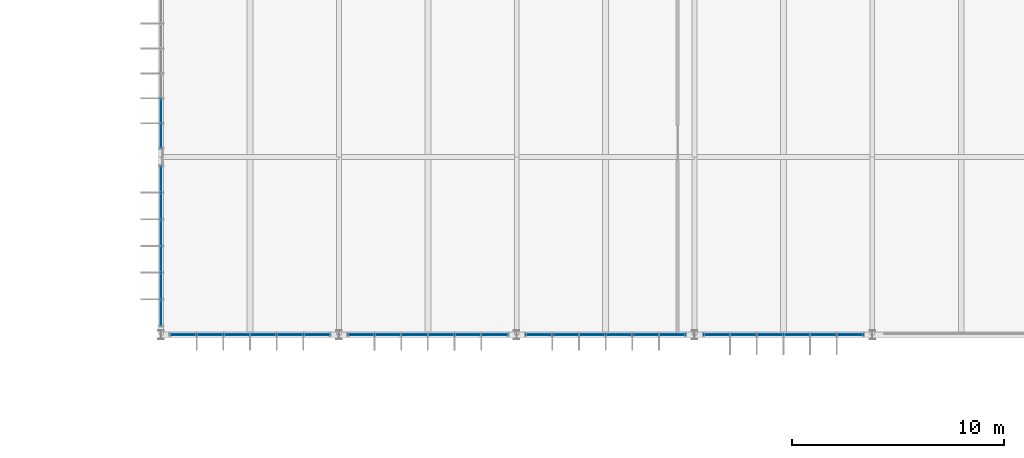
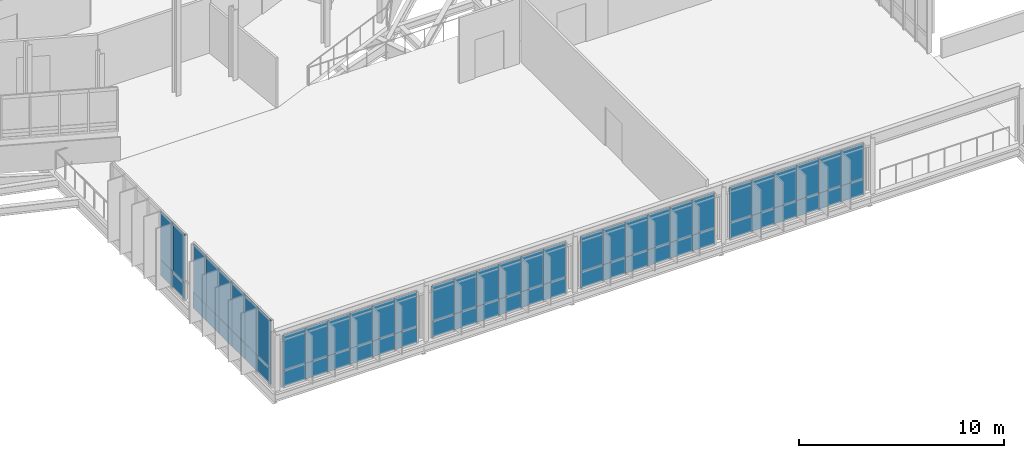
# One storey, part 73 of 107: 64 plates, 6 elements without a shape of their own.
"""IFC4 building model written with IfcOpenShell, lengths in metres."""

import ifcopenshell
import ifcopenshell.guid

model = None  # the IFC model being written
_history = None  # IfcOwnerHistory: only IFC2X3 demands one
_inside = {}  # id of a spatial element -> (the spatial element, [elements in it])
_under = {}  # id of a project, library or spatial element -> (it, [spatial elements below it])
_declared = {}  # id of a project -> (the project, [libraries it declares])
_typed = {}  # id of a type object -> (the type object, [elements of that type])
_made_of = {}  # id of a material, layer set ... -> (it, [elements and type objects made of it])


def new_model(schema):
    """Start an empty IFC model of exactly this schema.

    Asked for "IFC4X3", IfcOpenShell would pick the latest addendum, in which some entities
    have other attributes; the version numbers below select the first issue.
    IFC2X3 requires an IfcOwnerHistory on every rooted entity: one is made here for all.
    """
    global model, _history
    if schema == "IFC4X3":
        model = ifcopenshell.file(schema_version=(4, 3, 0, 0))
    else:
        model = ifcopenshell.file(schema=schema)
    _inside.clear()
    _under.clear()
    _declared.clear()
    _typed.clear()
    _made_of.clear()
    _history = None
    if model.schema == "IFC2X3":
        org = make("IfcOrganization", Name="unknown")
        user = make(
            "IfcPersonAndOrganization",
            ThePerson=make("IfcPerson", FamilyName="unknown"),
            TheOrganization=org,
        )
        app = make(
            "IfcApplication",
            ApplicationDeveloper=org,
            Version="unknown",
            ApplicationFullName="unknown",
            ApplicationIdentifier="unknown",
        )
        _history = make(
            "IfcOwnerHistory",
            OwningUser=user,
            OwningApplication=app,
            ChangeAction="ADDED",
            CreationDate=0,
        )
    return model


def make(cls, **values):
    """One entity of the class cls with the attributes given. An attribute that is None is left unset."""
    return model.create_entity(
        cls, **{name: value for name, value in values.items() if value is not None}
    )


def rooted(cls, **values):
    """An entity with a GlobalId (a new one), such as an element, a storey or a relation."""
    return make(cls, GlobalId=ifcopenshell.guid.new(), OwnerHistory=_history, **values)


def si_unit(unit_type, name, prefix=None):
    """IfcSIUnit, for example si_unit("LENGTHUNIT", "METRE", prefix="MILLI")."""
    return make("IfcSIUnit", UnitType=unit_type, Prefix=prefix, Name=name)


def derived_unit(unit_type, elements):
    """IfcDerivedUnit: a product of units, each with its exponent."""
    return make(
        "IfcDerivedUnit",
        Elements=[
            make("IfcDerivedUnitElement", Unit=unit, Exponent=power)
            for unit, power in elements
        ],
        UnitType=unit_type,
    )


def assignment(units):
    """IfcUnitAssignment: the units of a project."""
    return None if units is None else make("IfcUnitAssignment", Units=units)


def point(xyz):
    """IfcCartesianPoint."""
    return None if xyz is None else make("IfcCartesianPoint", Coordinates=xyz)


def direction(xyz):
    """IfcDirection."""
    return None if xyz is None else make("IfcDirection", DirectionRatios=xyz)


def frame(location, z_axis=None, x_axis=None):
    """IfcAxis2Placement3D, a coordinate frame: its origin and axes. An axis left out is left unset."""
    return make(
        "IfcAxis2Placement3D",
        Location=point(location),
        Axis=direction(z_axis),
        RefDirection=direction(x_axis),
    )


def frame_2d(location, x_axis=None):
    """IfcAxis2Placement2D, a coordinate frame in the plane: its origin and x axis."""
    return make(
        "IfcAxis2Placement2D", Location=point(location), RefDirection=direction(x_axis)
    )


def origin():
    """The frame at (0, 0, 0) with its axes left unset."""
    return frame((0.0, 0.0, 0.0))


def origin_2d():
    """The frame at (0, 0) in the plane with its x axis left unset."""
    return frame_2d((0.0, 0.0))


def place(relative_to, where):
    """IfcLocalPlacement: puts the frame where relative to a parent placement (None: the world)."""
    return make(
        "IfcLocalPlacement", PlacementRelTo=relative_to, RelativePlacement=where
    )


def context(
    kind, dimensions, precision=None, world=None, true_north=None, identifier=None
):
    """IfcGeometricRepresentationContext, for example the 3D "Model" context."""
    return make(
        "IfcGeometricRepresentationContext",
        ContextIdentifier=identifier,
        ContextType=kind,
        CoordinateSpaceDimension=dimensions,
        Precision=precision,
        WorldCoordinateSystem=world,
        TrueNorth=true_north,
    )


def subcontext(parent, identifier, kind, view, scale=None):
    """IfcGeometricRepresentationSubContext, for example "Body" below "Model"."""
    return make(
        "IfcGeometricRepresentationSubContext",
        ContextIdentifier=identifier,
        ContextType=kind,
        ParentContext=parent,
        TargetScale=scale,
        TargetView=view,
    )


def project(units=None, contexts=None):
    """IfcProject with its units and contexts."""
    return rooted(
        "IfcProject",
        Name="project",
        RepresentationContexts=contexts,
        UnitsInContext=assignment(units),
    )


def spatial(cls, under=None, at=None, **own):
    """A site, building, storey or space (cls), placed at a placement, below another one or the project."""
    s = rooted(cls, ObjectPlacement=at, **own)
    if under is not None:
        _under.setdefault(under.id(), (under, []))[1].append(s)
    return s


def profile(cls, at=None, kind="AREA", **sizes):
    """A parametric profile (cls). Its sizes go by their IFC names, for example OverallWidth=200.0."""
    return make(cls, ProfileType=kind, Position=at, **sizes)


def rectangle(**sizes):
    """IfcRectangleProfileDef."""
    return profile("IfcRectangleProfileDef", **sizes)


def extrude(swept, where, along, depth):
    """IfcExtrudedAreaSolid: the profile swept, set in the frame where, extruded along a direction by depth."""
    return make(
        "IfcExtrudedAreaSolid",
        SweptArea=swept,
        Position=where,
        ExtrudedDirection=direction(along),
        Depth=depth,
    )


def shape(context_of_items, identifier, shape_type, items):
    """IfcShapeRepresentation: the items that make up one representation, for example the "Body"."""
    return make(
        "IfcShapeRepresentation",
        ContextOfItems=context_of_items,
        RepresentationIdentifier=identifier,
        RepresentationType=shape_type,
        Items=items,
    )


def material(Name=None, Category=None):
    """IfcMaterial."""
    return make("IfcMaterial", Name=Name, Category=Category)


def layer(
    of_material, thickness, ventilated=None, Name=None, Category=None, Priority=None
):
    """IfcMaterialLayer: one layer of a wall or slab, of a material (None: an air gap)."""
    return make(
        "IfcMaterialLayer",
        Material=of_material,
        LayerThickness=thickness,
        IsVentilated=ventilated,
        Name=Name,
        Category=Category,
        Priority=Priority,
    )


def layer_set(layers, Name=None):
    """IfcMaterialLayerSet."""
    return make("IfcMaterialLayerSet", MaterialLayers=layers, LayerSetName=Name)


def made_of(thing, what):
    """Note that an element or type object is made of a material, layer set ...; save() writes the relation."""
    if what is not None:
        _made_of.setdefault(what.id(), (what, []))[1].append(thing)
    return thing


def type_object(cls, material=None, **own):
    """A type object (cls), such as IfcWallType, which elements share."""
    return made_of(rooted(cls, **own), material)


def element(
    cls,
    number,
    at=None,
    inside=None,
    cuts=None,
    type_object=None,
    material=None,
    context=None,
    identifier="Body",
    shape_type=None,
    held_by="IfcProductDefinitionShape",
    body=None,
    shapes=None,
    **own,
):
    """One element of the class cls, such as IfcWall. Its Tag is "e" and its number.

    at: its placement. inside: the storey or other place that contains it. cuts: it is an
    opening in that element (IfcRelVoidsElement). A single representation is given by context,
    identifier, shape_type and body (its items); several are given by shapes. held_by: the class
    of the entity that holds the representations. save() writes the other relations.
    """
    e = rooted(cls, Tag="e%d" % number, ObjectPlacement=at, **own)
    if body is not None:
        shapes = [shape(context, identifier, shape_type, body)]
    if shapes is not None:
        e.Representation = make(held_by, Representations=shapes)
    if inside is not None:
        _inside.setdefault(inside.id(), (inside, []))[1].append(e)
    if cuts is not None:
        rooted(
            "IfcRelVoidsElement", RelatingBuildingElement=cuts, RelatedOpeningElement=e
        )
    if type_object is not None:
        _typed.setdefault(type_object.id(), (type_object, []))[1].append(e)
    return made_of(e, material)


def aggregate(whole, parts):
    """IfcRelAggregates: a whole, such as a stair, and the parts it consists of."""
    return rooted("IfcRelAggregates", RelatingObject=whole, RelatedObjects=parts)


def save(model, path):
    """Write the relations noted so far, then the file.

    IfcRelAggregates (storeys below a building ...), IfcRelContainedInSpatialStructure (elements
    in a storey), IfcRelDefinesByType, IfcRelAssociatesMaterial and IfcRelDeclares: one each for
    every whole, place, type object, material and project.
    """
    for whole, parts in _under.values():
        aggregate(whole, parts)
    for where, things in _inside.values():
        rooted(
            "IfcRelContainedInSpatialStructure",
            RelatedElements=things,
            RelatingStructure=where,
        )
    for kind, things in _typed.values():
        rooted("IfcRelDefinesByType", RelatedObjects=things, RelatingType=kind)
    for what, things in _made_of.values():
        rooted("IfcRelAssociatesMaterial", RelatedObjects=things, RelatingMaterial=what)
    for by, libraries in _declared.values():
        rooted("IfcRelDeclares", RelatingContext=by, RelatedDefinitions=libraries)
    model.write(path)


model = new_model("IFC4")

# Units and contexts
model_context = context("Model", 3, precision=1e-05, world=origin(), true_north=direction((0.0, 1.0)))
body_context = subcontext(model_context, "Body", "Model", "MODEL_VIEW")
ifc_project = project(units=[si_unit("LENGTHUNIT", "METRE"), si_unit("AREAUNIT", "SQUARE_METRE"), si_unit("VOLUMEUNIT", "CUBIC_METRE"), si_unit("PLANEANGLEUNIT", "RADIAN"), si_unit("MASSUNIT", "GRAM", prefix="KILO"), derived_unit("THERMALTRANSMITTANCEUNIT", [(si_unit("MASSUNIT", "GRAM", prefix="KILO"), 1), (si_unit("TIMEUNIT", "SECOND"), -3), (si_unit("THERMODYNAMICTEMPERATUREUNIT", "KELVIN"), -1)])], contexts=[model_context])

# Site, building, storey
site_placement = place(None, origin())
site = spatial("IfcSite", under=ifc_project, at=site_placement, CompositionType="ELEMENT")
building_placement = place(site_placement, origin())
building = spatial("IfcBuilding", under=site, at=building_placement, Name="Makaiwela Harbour Ferry Terminal", CompositionType="ELEMENT")
storey_placement = place(building_placement, frame((0.0, 0.0, 9.60009765625)))
storey = spatial("IfcBuildingStorey", under=building, at=storey_placement, Name="L02", CompositionType="ELEMENT", Elevation=9.60009765625)

# Curtain wall, plates
ifc_material_1 = material(Name="Marine anodised aluminium 6063-T6", Category="aluminium")
ifc_layer_1 = layer(ifc_material_1, 0.199951171875)
ifc_layer_set_1 = layer_set([ifc_layer_1], Name="Marine anodised aluminium 6063-T6")
curtain_wall_type_1 = type_object("IfcCurtainWallType", Name="ENV-CW-09", PredefinedType="USERDEFINED", material=ifc_layer_set_1)
curtain_wall_1_placement = place(storey_placement, origin())
curtain_wall_1 = element("IfcCurtainWall", 1, at=curtain_wall_1_placement, inside=storey, type_object=curtain_wall_type_1, Name="Unitised Curtain Wall CWA-116", ObjectType="UNITIZED CURTAIN WALL", PredefinedType="USERDEFINED")
ifc_material_2 = material(Name="Laminated hurricane-impact low-E insulated glazing", Category="glass")
ifc_layer_2 = layer(ifc_material_2, 0.031982421875)
ifc_layer_set_2 = layer_set([ifc_layer_2], Name="Laminated hurricane-impact low-E insulated glazing")
plate_type_1 = type_object("IfcPlateType", Name="CW-PNL-G13", PredefinedType="CURTAIN_PANEL", material=ifc_layer_set_2)
plate_1_placement = place(storey_placement, frame((29.39990234375, 26.25, 0.949951171875), z_axis=(0.0, 0.0, 1.0), x_axis=(0.0, 1.0, 0.0)))
plate_1 = element("IfcPlate", 2, at=plate_1_placement, type_object=plate_type_1, Name="Glazed Vision Panel CWA-116-1G", PredefinedType="CURTAIN_PANEL", context=body_context, shape_type="SweptSolid", body=[
    extrude(rectangle(XDim=1.260009765625, YDim=0.031982421875, at=origin_2d()), origin(), (0.0, 0.0, 1.0), 2.89990234375),
])
plate_2_placement = place(storey_placement, frame((29.39990234375, 27.510009765625, 0.949951171875), z_axis=(0.0, 0.0, 1.0), x_axis=(0.0, 1.0, 0.0)))
plate_2 = element("IfcPlate", 3, at=plate_2_placement, type_object=plate_type_1, Name="Glazed Vision Panel CWA-116-2G", PredefinedType="CURTAIN_PANEL", context=body_context, shape_type="SweptSolid", body=[
    extrude(rectangle(XDim=1.260009765625, YDim=0.031982421875, at=origin_2d()), origin(), (0.0, 0.0, 1.0), 2.89990234375),
])
plate_3_placement = place(storey_placement, frame((29.39990234375, 28.77001953125, 0.949951171875), z_axis=(0.0, 0.0, 1.0), x_axis=(0.0, 1.0, 0.0)))
plate_3 = element("IfcPlate", 4, at=plate_3_placement, type_object=plate_type_1, Name="Glazed Vision Panel CWA-116-3G", PredefinedType="CURTAIN_PANEL", context=body_context, shape_type="SweptSolid", body=[
    extrude(rectangle(XDim=1.260009765625, YDim=0.031982421875, at=origin_2d()), origin(), (0.0, 0.0, 1.0), 2.89990234375),
])
plate_4_placement = place(storey_placement, frame((29.39990234375, 30.030029296875, 0.949951171875), z_axis=(0.0, 0.0, 1.0), x_axis=(0.0, 1.0, 0.0)))
plate_4 = element("IfcPlate", 5, at=plate_4_placement, type_object=plate_type_1, Name="Glazed Vision Panel CWA-116-4G", PredefinedType="CURTAIN_PANEL", context=body_context, shape_type="SweptSolid", body=[
    extrude(rectangle(XDim=1.260009765625, YDim=0.031982421875, at=origin_2d()), origin(), (0.0, 0.0, 1.0), 2.89990234375),
])
plate_5_placement = place(storey_placement, frame((29.39990234375, 31.2900390625, 0.949951171875), z_axis=(0.0, 0.0, 1.0), x_axis=(0.0, 1.0, 0.0)))
plate_5 = element("IfcPlate", 6, at=plate_5_placement, type_object=plate_type_1, Name="Glazed Vision Panel CWA-116-5G", PredefinedType="CURTAIN_PANEL", context=body_context, shape_type="SweptSolid", body=[
    extrude(rectangle(XDim=1.260009765625, YDim=0.031982421875, at=origin_2d()), origin(), (0.0, 0.0, 1.0), 2.89990234375),
])
plate_6_placement = place(storey_placement, frame((29.39990234375, 32.550048828125, 0.949951171875), z_axis=(0.0, 0.0, 1.0), x_axis=(0.0, 1.0, 0.0)))
plate_6 = element("IfcPlate", 7, at=plate_6_placement, type_object=plate_type_1, Name="Glazed Vision Panel CWA-116-6G", PredefinedType="CURTAIN_PANEL", context=body_context, shape_type="SweptSolid", body=[
    extrude(rectangle(XDim=1.260009765625, YDim=0.031982421875, at=origin_2d()), origin(), (0.0, 0.0, 1.0), 2.89990234375),
])

ifc_layer_3 = layer(ifc_material_1, 0.199951171875)
ifc_layer_set_3 = layer_set([ifc_layer_3], Name="Marine anodised aluminium 6063-T6")
curtain_wall_type_2 = type_object("IfcCurtainWallType", Name="ENV-CW-11", PredefinedType="USERDEFINED", material=ifc_layer_set_3)
curtain_wall_2_placement = place(storey_placement, origin())
curtain_wall_2 = element("IfcCurtainWall", 8, at=curtain_wall_2_placement, inside=storey, type_object=curtain_wall_type_2, Name="Unitised Curtain Wall CWA-099", ObjectType="UNITIZED CURTAIN WALL", PredefinedType="USERDEFINED")
ifc_layer_4 = layer(ifc_material_2, 0.031982421875)
ifc_layer_set_4 = layer_set([ifc_layer_4], Name="Laminated hurricane-impact low-E insulated glazing")
plate_type_2 = type_object("IfcPlateType", Name="CW-PNL-G15", PredefinedType="CURTAIN_PANEL", material=ifc_layer_set_4)
plate_7_placement = place(storey_placement, frame((36.75, 25.199951171875, 0.949951171875), z_axis=(0.0, 0.0, 1.0), x_axis=(-1.0, 0.0, 0.0)))
plate_7 = element("IfcPlate", 9, at=plate_7_placement, type_object=plate_type_2, Name="Glazed Vision Panel CWA-099-1G", PredefinedType="CURTAIN_PANEL", context=body_context, shape_type="SweptSolid", body=[
    extrude(rectangle(XDim=1.260009765625, YDim=0.031982421875, at=origin_2d()), origin(), (0.0, 0.0, 1.0), 2.10009765625),
])
plate_8_placement = place(storey_placement, frame((35.489990234375, 25.199951171875, 0.949951171875), z_axis=(0.0, 0.0, 1.0), x_axis=(-1.0, 0.0, 0.0)))
plate_8 = element("IfcPlate", 10, at=plate_8_placement, type_object=plate_type_2, Name="Glazed Vision Panel CWA-099-2G", PredefinedType="CURTAIN_PANEL", context=body_context, shape_type="SweptSolid", body=[
    extrude(rectangle(XDim=1.260009765625, YDim=0.031982421875, at=origin_2d()), origin(), (0.0, 0.0, 1.0), 2.10009765625),
])
plate_9_placement = place(storey_placement, frame((34.22998046875, 25.199951171875, 0.949951171875), z_axis=(0.0, 0.0, 1.0), x_axis=(-1.0, 0.0, 0.0)))
plate_9 = element("IfcPlate", 11, at=plate_9_placement, type_object=plate_type_2, Name="Glazed Vision Panel CWA-099-3G", PredefinedType="CURTAIN_PANEL", context=body_context, shape_type="SweptSolid", body=[
    extrude(rectangle(XDim=1.260009765625, YDim=0.031982421875, at=origin_2d()), origin(), (0.0, 0.0, 1.0), 2.10009765625),
])
plate_10_placement = place(storey_placement, frame((32.969970703125, 25.199951171875, 0.949951171875), z_axis=(0.0, 0.0, 1.0), x_axis=(-1.0, 0.0, 0.0)))
plate_10 = element("IfcPlate", 12, at=plate_10_placement, type_object=plate_type_2, Name="Glazed Vision Panel CWA-099-4G", PredefinedType="CURTAIN_PANEL", context=body_context, shape_type="SweptSolid", body=[
    extrude(rectangle(XDim=1.260009765625, YDim=0.031982421875, at=origin_2d()), origin(), (0.0, 0.0, 1.0), 2.10009765625),
])
plate_11_placement = place(storey_placement, frame((31.7099609375, 25.199951171875, 0.949951171875), z_axis=(0.0, 0.0, 1.0), x_axis=(-1.0, 0.0, 0.0)))
plate_11 = element("IfcPlate", 13, at=plate_11_placement, type_object=plate_type_2, Name="Glazed Vision Panel CWA-099-5G", PredefinedType="CURTAIN_PANEL", context=body_context, shape_type="SweptSolid", body=[
    extrude(rectangle(XDim=1.260009765625, YDim=0.031982421875, at=origin_2d()), origin(), (0.0, 0.0, 1.0), 2.10009765625),
])
plate_12_placement = place(storey_placement, frame((30.449951171875, 25.199951171875, 0.949951171875), z_axis=(0.0, 0.0, 1.0), x_axis=(-1.0, 0.0, 0.0)))
plate_12 = element("IfcPlate", 14, at=plate_12_placement, type_object=plate_type_2, Name="Glazed Vision Panel CWA-099-6G", PredefinedType="CURTAIN_PANEL", context=body_context, shape_type="SweptSolid", body=[
    extrude(rectangle(XDim=1.260009765625, YDim=0.031982421875, at=origin_2d()), origin(), (0.0, 0.0, 1.0), 2.10009765625),
])

curtain_wall_3_placement = place(storey_placement, origin())
curtain_wall_3 = element("IfcCurtainWall", 15, at=curtain_wall_3_placement, inside=storey, type_object=curtain_wall_type_2, Name="Unitised Curtain Wall CWA-102", ObjectType="UNITIZED CURTAIN WALL", PredefinedType="USERDEFINED")
plate_13_placement = place(storey_placement, frame((45.14990234375, 25.199951171875, 0.949951171875), z_axis=(0.0, 0.0, 1.0), x_axis=(-1.0, 0.0, 0.0)))
plate_13 = element("IfcPlate", 16, at=plate_13_placement, type_object=plate_type_2, Name="Glazed Vision Panel CWA-102-1G", PredefinedType="CURTAIN_PANEL", context=body_context, shape_type="SweptSolid", body=[
    extrude(rectangle(XDim=1.260009765625, YDim=0.031982421875, at=origin_2d()), origin(), (0.0, 0.0, 1.0), 2.10009765625),
])
plate_14_placement = place(storey_placement, frame((43.889892578125, 25.199951171875, 0.949951171875), z_axis=(0.0, 0.0, 1.0), x_axis=(-1.0, 0.0, 0.0)))
plate_14 = element("IfcPlate", 17, at=plate_14_placement, type_object=plate_type_2, Name="Glazed Vision Panel CWA-102-2G", PredefinedType="CURTAIN_PANEL", context=body_context, shape_type="SweptSolid", body=[
    extrude(rectangle(XDim=1.260009765625, YDim=0.031982421875, at=origin_2d()), origin(), (0.0, 0.0, 1.0), 2.10009765625),
])
plate_15_placement = place(storey_placement, frame((42.6298828125, 25.199951171875, 0.949951171875), z_axis=(0.0, 0.0, 1.0), x_axis=(-1.0, 0.0, 0.0)))
plate_15 = element("IfcPlate", 18, at=plate_15_placement, type_object=plate_type_2, Name="Glazed Vision Panel CWA-102-3G", PredefinedType="CURTAIN_PANEL", context=body_context, shape_type="SweptSolid", body=[
    extrude(rectangle(XDim=1.260009765625, YDim=0.031982421875, at=origin_2d()), origin(), (0.0, 0.0, 1.0), 2.10009765625),
])
plate_16_placement = place(storey_placement, frame((41.3701171875, 25.199951171875, 0.949951171875), z_axis=(0.0, 0.0, 1.0), x_axis=(-1.0, 0.0, 0.0)))
plate_16 = element("IfcPlate", 19, at=plate_16_placement, type_object=plate_type_2, Name="Glazed Vision Panel CWA-102-4G", PredefinedType="CURTAIN_PANEL", context=body_context, shape_type="SweptSolid", body=[
    extrude(rectangle(XDim=1.260009765625, YDim=0.031982421875, at=origin_2d()), origin(), (0.0, 0.0, 1.0), 2.10009765625),
])
plate_17_placement = place(storey_placement, frame((40.110107421875, 25.199951171875, 0.949951171875), z_axis=(0.0, 0.0, 1.0), x_axis=(-1.0, 0.0, 0.0)))
plate_17 = element("IfcPlate", 20, at=plate_17_placement, type_object=plate_type_2, Name="Glazed Vision Panel CWA-102-5G", PredefinedType="CURTAIN_PANEL", context=body_context, shape_type="SweptSolid", body=[
    extrude(rectangle(XDim=1.260009765625, YDim=0.031982421875, at=origin_2d()), origin(), (0.0, 0.0, 1.0), 2.10009765625),
])
plate_18_placement = place(storey_placement, frame((38.85009765625, 25.199951171875, 0.949951171875), z_axis=(0.0, 0.0, 1.0), x_axis=(-1.0, 0.0, 0.0)))
plate_18 = element("IfcPlate", 21, at=plate_18_placement, type_object=plate_type_2, Name="Glazed Vision Panel CWA-102-6G", PredefinedType="CURTAIN_PANEL", context=body_context, shape_type="SweptSolid", body=[
    extrude(rectangle(XDim=1.260009765625, YDim=0.031982421875, at=origin_2d()), origin(), (0.0, 0.0, 1.0), 2.10009765625),
])

curtain_wall_4_placement = place(storey_placement, origin())
curtain_wall_4 = element("IfcCurtainWall", 22, at=curtain_wall_4_placement, inside=storey, type_object=curtain_wall_type_2, Name="Unitised Curtain Wall CWA-105", ObjectType="UNITIZED CURTAIN WALL", PredefinedType="USERDEFINED")
plate_19_placement = place(storey_placement, frame((53.550048828125, 25.199951171875, 0.949951171875), z_axis=(0.0, 0.0, 1.0), x_axis=(-1.0, 0.0, 0.0)))
plate_19 = element("IfcPlate", 23, at=plate_19_placement, type_object=plate_type_2, Name="Glazed Vision Panel CWA-105-1G", PredefinedType="CURTAIN_PANEL", context=body_context, shape_type="SweptSolid", body=[
    extrude(rectangle(XDim=1.260009765625, YDim=0.031982421875, at=origin_2d()), origin(), (0.0, 0.0, 1.0), 2.10009765625),
])
plate_20_placement = place(storey_placement, frame((52.2900390625, 25.199951171875, 0.949951171875), z_axis=(0.0, 0.0, 1.0), x_axis=(-1.0, 0.0, 0.0)))
plate_20 = element("IfcPlate", 24, at=plate_20_placement, type_object=plate_type_2, Name="Glazed Vision Panel CWA-105-2G", PredefinedType="CURTAIN_PANEL", context=body_context, shape_type="SweptSolid", body=[
    extrude(rectangle(XDim=1.260009765625, YDim=0.031982421875, at=origin_2d()), origin(), (0.0, 0.0, 1.0), 2.10009765625),
])
plate_21_placement = place(storey_placement, frame((51.030029296875, 25.199951171875, 0.949951171875), z_axis=(0.0, 0.0, 1.0), x_axis=(-1.0, 0.0, 0.0)))
plate_21 = element("IfcPlate", 25, at=plate_21_placement, type_object=plate_type_2, Name="Glazed Vision Panel CWA-105-3G", PredefinedType="CURTAIN_PANEL", context=body_context, shape_type="SweptSolid", body=[
    extrude(rectangle(XDim=1.260009765625, YDim=0.031982421875, at=origin_2d()), origin(), (0.0, 0.0, 1.0), 2.10009765625),
])
plate_22_placement = place(storey_placement, frame((49.77001953125, 25.199951171875, 0.949951171875), z_axis=(0.0, 0.0, 1.0), x_axis=(-1.0, 0.0, 0.0)))
plate_22 = element("IfcPlate", 26, at=plate_22_placement, type_object=plate_type_2, Name="Glazed Vision Panel CWA-105-4G", PredefinedType="CURTAIN_PANEL", context=body_context, shape_type="SweptSolid", body=[
    extrude(rectangle(XDim=1.260009765625, YDim=0.031982421875, at=origin_2d()), origin(), (0.0, 0.0, 1.0), 2.10009765625),
])
plate_23_placement = place(storey_placement, frame((48.510009765625, 25.199951171875, 0.949951171875), z_axis=(0.0, 0.0, 1.0), x_axis=(-1.0, 0.0, 0.0)))
plate_23 = element("IfcPlate", 27, at=plate_23_placement, type_object=plate_type_2, Name="Glazed Vision Panel CWA-105-5G", PredefinedType="CURTAIN_PANEL", context=body_context, shape_type="SweptSolid", body=[
    extrude(rectangle(XDim=1.260009765625, YDim=0.031982421875, at=origin_2d()), origin(), (0.0, 0.0, 1.0), 2.10009765625),
])
plate_24_placement = place(storey_placement, frame((47.25, 25.199951171875, 0.949951171875), z_axis=(0.0, 0.0, 1.0), x_axis=(-1.0, 0.0, 0.0)))
plate_24 = element("IfcPlate", 28, at=plate_24_placement, type_object=plate_type_2, Name="Glazed Vision Panel CWA-105-6G", PredefinedType="CURTAIN_PANEL", context=body_context, shape_type="SweptSolid", body=[
    extrude(rectangle(XDim=1.260009765625, YDim=0.031982421875, at=origin_2d()), origin(), (0.0, 0.0, 1.0), 2.10009765625),
])

curtain_wall_5_placement = place(storey_placement, origin())
curtain_wall_5 = element("IfcCurtainWall", 29, at=curtain_wall_5_placement, inside=storey, type_object=curtain_wall_type_2, Name="Unitised Curtain Wall CWA-107", ObjectType="UNITIZED CURTAIN WALL", PredefinedType="USERDEFINED")
plate_25_placement = place(storey_placement, frame((61.949951171875, 25.199951171875, 0.949951171875), z_axis=(0.0, 0.0, 1.0), x_axis=(-1.0, 0.0, 0.0)))
plate_25 = element("IfcPlate", 30, at=plate_25_placement, type_object=plate_type_2, Name="Glazed Vision Panel CWA-107-1G", PredefinedType="CURTAIN_PANEL", context=body_context, shape_type="SweptSolid", body=[
    extrude(rectangle(XDim=1.260009765625, YDim=0.031982421875, at=origin_2d()), origin(), (0.0, 0.0, 1.0), 2.10009765625),
])
plate_26_placement = place(storey_placement, frame((60.68994140625, 25.199951171875, 0.949951171875), z_axis=(0.0, 0.0, 1.0), x_axis=(-1.0, 0.0, 0.0)))
plate_26 = element("IfcPlate", 31, at=plate_26_placement, type_object=plate_type_2, Name="Glazed Vision Panel CWA-107-2G", PredefinedType="CURTAIN_PANEL", context=body_context, shape_type="SweptSolid", body=[
    extrude(rectangle(XDim=1.260009765625, YDim=0.031982421875, at=origin_2d()), origin(), (0.0, 0.0, 1.0), 2.10009765625),
])
plate_27_placement = place(storey_placement, frame((59.429931640625, 25.199951171875, 0.949951171875), z_axis=(0.0, 0.0, 1.0), x_axis=(-1.0, 0.0, 0.0)))
plate_27 = element("IfcPlate", 32, at=plate_27_placement, type_object=plate_type_2, Name="Glazed Vision Panel CWA-107-3G", PredefinedType="CURTAIN_PANEL", context=body_context, shape_type="SweptSolid", body=[
    extrude(rectangle(XDim=1.260009765625, YDim=0.031982421875, at=origin_2d()), origin(), (0.0, 0.0, 1.0), 2.10009765625),
])
plate_28_placement = place(storey_placement, frame((58.169921875, 25.199951171875, 0.949951171875), z_axis=(0.0, 0.0, 1.0), x_axis=(-1.0, 0.0, 0.0)))
plate_28 = element("IfcPlate", 33, at=plate_28_placement, type_object=plate_type_2, Name="Glazed Vision Panel CWA-107-4G", PredefinedType="CURTAIN_PANEL", context=body_context, shape_type="SweptSolid", body=[
    extrude(rectangle(XDim=1.260009765625, YDim=0.031982421875, at=origin_2d()), origin(), (0.0, 0.0, 1.0), 2.10009765625),
])
plate_29_placement = place(storey_placement, frame((56.909912109375, 25.199951171875, 0.949951171875), z_axis=(0.0, 0.0, 1.0), x_axis=(-1.0, 0.0, 0.0)))
plate_29 = element("IfcPlate", 34, at=plate_29_placement, type_object=plate_type_2, Name="Glazed Vision Panel CWA-107-5G", PredefinedType="CURTAIN_PANEL", context=body_context, shape_type="SweptSolid", body=[
    extrude(rectangle(XDim=1.260009765625, YDim=0.031982421875, at=origin_2d()), origin(), (0.0, 0.0, 1.0), 2.10009765625),
])
plate_30_placement = place(storey_placement, frame((55.64990234375, 25.199951171875, 0.949951171875), z_axis=(0.0, 0.0, 1.0), x_axis=(-1.0, 0.0, 0.0)))
plate_30 = element("IfcPlate", 35, at=plate_30_placement, type_object=plate_type_2, Name="Glazed Vision Panel CWA-107-6G", PredefinedType="CURTAIN_PANEL", context=body_context, shape_type="SweptSolid", body=[
    extrude(rectangle(XDim=1.260009765625, YDim=0.031982421875, at=origin_2d()), origin(), (0.0, 0.0, 1.0), 2.10009765625),
])

ifc_layer_5 = layer(ifc_material_1, 0.199951171875)
ifc_layer_set_5 = layer_set([ifc_layer_5], Name="Marine anodised aluminium 6063-T6")
curtain_wall_type_3 = type_object("IfcCurtainWallType", Name="ENV-CW-14", PredefinedType="USERDEFINED", material=ifc_layer_set_5)
curtain_wall_6_placement = place(storey_placement, origin())
curtain_wall_6 = element("IfcCurtainWall", 36, at=curtain_wall_6_placement, inside=storey, type_object=curtain_wall_type_3, Name="Unitised Curtain Wall CWA-119", ObjectType="UNITIZED CURTAIN WALL", PredefinedType="USERDEFINED")
ifc_layer_6 = layer(ifc_material_2, 0.031982421875)
ifc_layer_set_6 = layer_set([ifc_layer_6], Name="Laminated hurricane-impact low-E insulated glazing")
plate_type_3 = type_object("IfcPlateType", Name="CW-PNL-G19", PredefinedType="CURTAIN_PANEL", material=ifc_layer_set_6)
plate_31_placement = place(storey_placement, frame((29.39990234375, 34.6083984375, 0.949951171875), z_axis=(0.0, 0.0, 1.0), x_axis=(0.0, 1.0, 0.0)))
plate_31 = element("IfcPlate", 37, at=plate_31_placement, type_object=plate_type_3, Name="Glazed Vision Panel CWA-119-1G", PredefinedType="CURTAIN_PANEL", context=body_context, shape_type="SweptSolid", body=[
    extrude(rectangle(XDim=1.1767578125, YDim=0.031982421875, at=origin_2d()), origin(), (0.0, 0.0, 1.0), 2.89990234375),
])
plate_32_placement = place(storey_placement, frame((29.39990234375, 35.784912109375, 0.949951171875), z_axis=(0.0, 0.0, 1.0), x_axis=(0.0, 1.0, 0.0)))
plate_32 = element("IfcPlate", 38, at=plate_32_placement, type_object=plate_type_3, Name="Glazed Vision Panel CWA-119-2G", PredefinedType="CURTAIN_PANEL", context=body_context, shape_type="SweptSolid", body=[
    extrude(rectangle(XDim=1.1767578125, YDim=0.031982421875, at=origin_2d()), origin(), (0.0, 0.0, 1.0), 2.89990234375),
])

# Plate
ifc_material_3 = material(Name="Insulated marine aluminium spandrel panel", Category="aluminium")
ifc_layer_7 = layer(ifc_material_3, 0.048095703125)
ifc_layer_set_7 = layer_set([ifc_layer_7], Name="Insulated marine aluminium spandrel panel")
plate_type_4 = type_object("IfcPlateType", Name="CW-PNL-S11", PredefinedType="CURTAIN_PANEL", material=ifc_layer_set_7)
plate_33_placement = place(storey_placement, frame((36.75, 25.199951171875, 0.0), z_axis=(0.0, 0.0, 1.0), x_axis=(-1.0, 0.0, 0.0)))
plate_33 = element("IfcPlate", 39, at=plate_33_placement, type_object=plate_type_4, Name="Spandrel Panel CWA-099-1S", PredefinedType="CURTAIN_PANEL", context=body_context, shape_type="SweptSolid", body=[
    extrude(rectangle(XDim=1.260009765625, YDim=0.048095703125, at=origin_2d()), origin(), (0.0, 0.0, 1.0), 0.949951171875),
])

plate_34_placement = place(storey_placement, frame((35.489990234375, 25.199951171875, 0.0), z_axis=(0.0, 0.0, 1.0), x_axis=(-1.0, 0.0, 0.0)))
plate_34 = element("IfcPlate", 40, at=plate_34_placement, type_object=plate_type_4, Name="Spandrel Panel CWA-099-2S", PredefinedType="CURTAIN_PANEL", context=body_context, shape_type="SweptSolid", body=[
    extrude(rectangle(XDim=1.260009765625, YDim=0.048095703125, at=origin_2d()), origin(), (0.0, 0.0, 1.0), 0.949951171875),
])

plate_35_placement = place(storey_placement, frame((34.22998046875, 25.199951171875, 0.0), z_axis=(0.0, 0.0, 1.0), x_axis=(-1.0, 0.0, 0.0)))
plate_35 = element("IfcPlate", 41, at=plate_35_placement, type_object=plate_type_4, Name="Spandrel Panel CWA-099-3S", PredefinedType="CURTAIN_PANEL", context=body_context, shape_type="SweptSolid", body=[
    extrude(rectangle(XDim=1.260009765625, YDim=0.048095703125, at=origin_2d()), origin(), (0.0, 0.0, 1.0), 0.949951171875),
])

plate_36_placement = place(storey_placement, frame((32.969970703125, 25.199951171875, 0.0), z_axis=(0.0, 0.0, 1.0), x_axis=(-1.0, 0.0, 0.0)))
plate_36 = element("IfcPlate", 42, at=plate_36_placement, type_object=plate_type_4, Name="Spandrel Panel CWA-099-4S", PredefinedType="CURTAIN_PANEL", context=body_context, shape_type="SweptSolid", body=[
    extrude(rectangle(XDim=1.260009765625, YDim=0.048095703125, at=origin_2d()), origin(), (0.0, 0.0, 1.0), 0.949951171875),
])

plate_37_placement = place(storey_placement, frame((31.7099609375, 25.199951171875, 0.0), z_axis=(0.0, 0.0, 1.0), x_axis=(-1.0, 0.0, 0.0)))
plate_37 = element("IfcPlate", 43, at=plate_37_placement, type_object=plate_type_4, Name="Spandrel Panel CWA-099-5S", PredefinedType="CURTAIN_PANEL", context=body_context, shape_type="SweptSolid", body=[
    extrude(rectangle(XDim=1.260009765625, YDim=0.048095703125, at=origin_2d()), origin(), (0.0, 0.0, 1.0), 0.949951171875),
])

plate_38_placement = place(storey_placement, frame((30.449951171875, 25.199951171875, 0.0), z_axis=(0.0, 0.0, 1.0), x_axis=(-1.0, 0.0, 0.0)))
plate_38 = element("IfcPlate", 44, at=plate_38_placement, type_object=plate_type_4, Name="Spandrel Panel CWA-099-6S", PredefinedType="CURTAIN_PANEL", context=body_context, shape_type="SweptSolid", body=[
    extrude(rectangle(XDim=1.260009765625, YDim=0.048095703125, at=origin_2d()), origin(), (0.0, 0.0, 1.0), 0.949951171875),
])

aggregate(curtain_wall_2, [plate_33, plate_7, plate_34, plate_8, plate_35, plate_9, plate_36, plate_10, plate_37, plate_11, plate_38, plate_12])

plate_39_placement = place(storey_placement, frame((45.14990234375, 25.199951171875, 0.0), z_axis=(0.0, 0.0, 1.0), x_axis=(-1.0, 0.0, 0.0)))
plate_39 = element("IfcPlate", 45, at=plate_39_placement, type_object=plate_type_4, Name="Spandrel Panel CWA-102-1S", PredefinedType="CURTAIN_PANEL", context=body_context, shape_type="SweptSolid", body=[
    extrude(rectangle(XDim=1.260009765625, YDim=0.048095703125, at=origin_2d()), origin(), (0.0, 0.0, 1.0), 0.949951171875),
])

plate_40_placement = place(storey_placement, frame((43.889892578125, 25.199951171875, 0.0), z_axis=(0.0, 0.0, 1.0), x_axis=(-1.0, 0.0, 0.0)))
plate_40 = element("IfcPlate", 46, at=plate_40_placement, type_object=plate_type_4, Name="Spandrel Panel CWA-102-2S", PredefinedType="CURTAIN_PANEL", context=body_context, shape_type="SweptSolid", body=[
    extrude(rectangle(XDim=1.260009765625, YDim=0.048095703125, at=origin_2d()), origin(), (0.0, 0.0, 1.0), 0.949951171875),
])

plate_41_placement = place(storey_placement, frame((42.6298828125, 25.199951171875, 0.0), z_axis=(0.0, 0.0, 1.0), x_axis=(-1.0, 0.0, 0.0)))
plate_41 = element("IfcPlate", 47, at=plate_41_placement, type_object=plate_type_4, Name="Spandrel Panel CWA-102-3S", PredefinedType="CURTAIN_PANEL", context=body_context, shape_type="SweptSolid", body=[
    extrude(rectangle(XDim=1.260009765625, YDim=0.048095703125, at=origin_2d()), origin(), (0.0, 0.0, 1.0), 0.949951171875),
])

plate_42_placement = place(storey_placement, frame((41.3701171875, 25.199951171875, 0.0), z_axis=(0.0, 0.0, 1.0), x_axis=(-1.0, 0.0, 0.0)))
plate_42 = element("IfcPlate", 48, at=plate_42_placement, type_object=plate_type_4, Name="Spandrel Panel CWA-102-4S", PredefinedType="CURTAIN_PANEL", context=body_context, shape_type="SweptSolid", body=[
    extrude(rectangle(XDim=1.260009765625, YDim=0.048095703125, at=origin_2d()), origin(), (0.0, 0.0, 1.0), 0.949951171875),
])

plate_43_placement = place(storey_placement, frame((40.110107421875, 25.199951171875, 0.0), z_axis=(0.0, 0.0, 1.0), x_axis=(-1.0, 0.0, 0.0)))
plate_43 = element("IfcPlate", 49, at=plate_43_placement, type_object=plate_type_4, Name="Spandrel Panel CWA-102-5S", PredefinedType="CURTAIN_PANEL", context=body_context, shape_type="SweptSolid", body=[
    extrude(rectangle(XDim=1.260009765625, YDim=0.048095703125, at=origin_2d()), origin(), (0.0, 0.0, 1.0), 0.949951171875),
])

plate_44_placement = place(storey_placement, frame((38.85009765625, 25.199951171875, 0.0), z_axis=(0.0, 0.0, 1.0), x_axis=(-1.0, 0.0, 0.0)))
plate_44 = element("IfcPlate", 50, at=plate_44_placement, type_object=plate_type_4, Name="Spandrel Panel CWA-102-6S", PredefinedType="CURTAIN_PANEL", context=body_context, shape_type="SweptSolid", body=[
    extrude(rectangle(XDim=1.260009765625, YDim=0.048095703125, at=origin_2d()), origin(), (0.0, 0.0, 1.0), 0.949951171875),
])

aggregate(curtain_wall_3, [plate_39, plate_13, plate_40, plate_14, plate_41, plate_15, plate_42, plate_16, plate_43, plate_17, plate_44, plate_18])

plate_45_placement = place(storey_placement, frame((53.550048828125, 25.199951171875, 0.0), z_axis=(0.0, 0.0, 1.0), x_axis=(-1.0, 0.0, 0.0)))
plate_45 = element("IfcPlate", 51, at=plate_45_placement, type_object=plate_type_4, Name="Spandrel Panel CWA-105-1S", PredefinedType="CURTAIN_PANEL", context=body_context, shape_type="SweptSolid", body=[
    extrude(rectangle(XDim=1.260009765625, YDim=0.048095703125, at=origin_2d()), origin(), (0.0, 0.0, 1.0), 0.949951171875),
])

plate_46_placement = place(storey_placement, frame((52.2900390625, 25.199951171875, 0.0), z_axis=(0.0, 0.0, 1.0), x_axis=(-1.0, 0.0, 0.0)))
plate_46 = element("IfcPlate", 52, at=plate_46_placement, type_object=plate_type_4, Name="Spandrel Panel CWA-105-2S", PredefinedType="CURTAIN_PANEL", context=body_context, shape_type="SweptSolid", body=[
    extrude(rectangle(XDim=1.260009765625, YDim=0.048095703125, at=origin_2d()), origin(), (0.0, 0.0, 1.0), 0.949951171875),
])

plate_47_placement = place(storey_placement, frame((51.030029296875, 25.199951171875, 0.0), z_axis=(0.0, 0.0, 1.0), x_axis=(-1.0, 0.0, 0.0)))
plate_47 = element("IfcPlate", 53, at=plate_47_placement, type_object=plate_type_4, Name="Spandrel Panel CWA-105-3S", PredefinedType="CURTAIN_PANEL", context=body_context, shape_type="SweptSolid", body=[
    extrude(rectangle(XDim=1.260009765625, YDim=0.048095703125, at=origin_2d()), origin(), (0.0, 0.0, 1.0), 0.949951171875),
])

plate_48_placement = place(storey_placement, frame((49.77001953125, 25.199951171875, 0.0), z_axis=(0.0, 0.0, 1.0), x_axis=(-1.0, 0.0, 0.0)))
plate_48 = element("IfcPlate", 54, at=plate_48_placement, type_object=plate_type_4, Name="Spandrel Panel CWA-105-4S", PredefinedType="CURTAIN_PANEL", context=body_context, shape_type="SweptSolid", body=[
    extrude(rectangle(XDim=1.260009765625, YDim=0.048095703125, at=origin_2d()), origin(), (0.0, 0.0, 1.0), 0.949951171875),
])

plate_49_placement = place(storey_placement, frame((48.510009765625, 25.199951171875, 0.0), z_axis=(0.0, 0.0, 1.0), x_axis=(-1.0, 0.0, 0.0)))
plate_49 = element("IfcPlate", 55, at=plate_49_placement, type_object=plate_type_4, Name="Spandrel Panel CWA-105-5S", PredefinedType="CURTAIN_PANEL", context=body_context, shape_type="SweptSolid", body=[
    extrude(rectangle(XDim=1.260009765625, YDim=0.048095703125, at=origin_2d()), origin(), (0.0, 0.0, 1.0), 0.949951171875),
])

plate_50_placement = place(storey_placement, frame((47.25, 25.199951171875, 0.0), z_axis=(0.0, 0.0, 1.0), x_axis=(-1.0, 0.0, 0.0)))
plate_50 = element("IfcPlate", 56, at=plate_50_placement, type_object=plate_type_4, Name="Spandrel Panel CWA-105-6S", PredefinedType="CURTAIN_PANEL", context=body_context, shape_type="SweptSolid", body=[
    extrude(rectangle(XDim=1.260009765625, YDim=0.048095703125, at=origin_2d()), origin(), (0.0, 0.0, 1.0), 0.949951171875),
])

aggregate(curtain_wall_4, [plate_45, plate_19, plate_46, plate_20, plate_47, plate_21, plate_48, plate_22, plate_49, plate_23, plate_50, plate_24])

plate_51_placement = place(storey_placement, frame((61.949951171875, 25.199951171875, 0.0), z_axis=(0.0, 0.0, 1.0), x_axis=(-1.0, 0.0, 0.0)))
plate_51 = element("IfcPlate", 57, at=plate_51_placement, type_object=plate_type_4, Name="Spandrel Panel CWA-107-1S", PredefinedType="CURTAIN_PANEL", context=body_context, shape_type="SweptSolid", body=[
    extrude(rectangle(XDim=1.260009765625, YDim=0.048095703125, at=origin_2d()), origin(), (0.0, 0.0, 1.0), 0.949951171875),
])

plate_52_placement = place(storey_placement, frame((60.68994140625, 25.199951171875, 0.0), z_axis=(0.0, 0.0, 1.0), x_axis=(-1.0, 0.0, 0.0)))
plate_52 = element("IfcPlate", 58, at=plate_52_placement, type_object=plate_type_4, Name="Spandrel Panel CWA-107-2S", PredefinedType="CURTAIN_PANEL", context=body_context, shape_type="SweptSolid", body=[
    extrude(rectangle(XDim=1.260009765625, YDim=0.048095703125, at=origin_2d()), origin(), (0.0, 0.0, 1.0), 0.949951171875),
])

plate_53_placement = place(storey_placement, frame((59.429931640625, 25.199951171875, 0.0), z_axis=(0.0, 0.0, 1.0), x_axis=(-1.0, 0.0, 0.0)))
plate_53 = element("IfcPlate", 59, at=plate_53_placement, type_object=plate_type_4, Name="Spandrel Panel CWA-107-3S", PredefinedType="CURTAIN_PANEL", context=body_context, shape_type="SweptSolid", body=[
    extrude(rectangle(XDim=1.260009765625, YDim=0.048095703125, at=origin_2d()), origin(), (0.0, 0.0, 1.0), 0.949951171875),
])

plate_54_placement = place(storey_placement, frame((58.169921875, 25.199951171875, 0.0), z_axis=(0.0, 0.0, 1.0), x_axis=(-1.0, 0.0, 0.0)))
plate_54 = element("IfcPlate", 60, at=plate_54_placement, type_object=plate_type_4, Name="Spandrel Panel CWA-107-4S", PredefinedType="CURTAIN_PANEL", context=body_context, shape_type="SweptSolid", body=[
    extrude(rectangle(XDim=1.260009765625, YDim=0.048095703125, at=origin_2d()), origin(), (0.0, 0.0, 1.0), 0.949951171875),
])

plate_55_placement = place(storey_placement, frame((56.909912109375, 25.199951171875, 0.0), z_axis=(0.0, 0.0, 1.0), x_axis=(-1.0, 0.0, 0.0)))
plate_55 = element("IfcPlate", 61, at=plate_55_placement, type_object=plate_type_4, Name="Spandrel Panel CWA-107-5S", PredefinedType="CURTAIN_PANEL", context=body_context, shape_type="SweptSolid", body=[
    extrude(rectangle(XDim=1.260009765625, YDim=0.048095703125, at=origin_2d()), origin(), (0.0, 0.0, 1.0), 0.949951171875),
])

plate_56_placement = place(storey_placement, frame((55.64990234375, 25.199951171875, 0.0), z_axis=(0.0, 0.0, 1.0), x_axis=(-1.0, 0.0, 0.0)))
plate_56 = element("IfcPlate", 62, at=plate_56_placement, type_object=plate_type_4, Name="Spandrel Panel CWA-107-6S", PredefinedType="CURTAIN_PANEL", context=body_context, shape_type="SweptSolid", body=[
    extrude(rectangle(XDim=1.260009765625, YDim=0.048095703125, at=origin_2d()), origin(), (0.0, 0.0, 1.0), 0.949951171875),
])

aggregate(curtain_wall_5, [plate_51, plate_25, plate_52, plate_26, plate_53, plate_27, plate_54, plate_28, plate_55, plate_29, plate_56, plate_30])

plate_57_placement = place(storey_placement, frame((29.39990234375, 26.25, 0.0), z_axis=(0.0, 0.0, 1.0), x_axis=(0.0, 1.0, 0.0)))
plate_57 = element("IfcPlate", 63, at=plate_57_placement, type_object=plate_type_4, Name="Spandrel Panel CWA-116-1S", PredefinedType="CURTAIN_PANEL", context=body_context, shape_type="SweptSolid", body=[
    extrude(rectangle(XDim=1.260009765625, YDim=0.048095703125, at=origin_2d()), origin(), (0.0, 0.0, 1.0), 0.949951171875),
])

plate_58_placement = place(storey_placement, frame((29.39990234375, 27.510009765625, 0.0), z_axis=(0.0, 0.0, 1.0), x_axis=(0.0, 1.0, 0.0)))
plate_58 = element("IfcPlate", 64, at=plate_58_placement, type_object=plate_type_4, Name="Spandrel Panel CWA-116-2S", PredefinedType="CURTAIN_PANEL", context=body_context, shape_type="SweptSolid", body=[
    extrude(rectangle(XDim=1.260009765625, YDim=0.048095703125, at=origin_2d()), origin(), (0.0, 0.0, 1.0), 0.949951171875),
])

plate_59_placement = place(storey_placement, frame((29.39990234375, 28.77001953125, 0.0), z_axis=(0.0, 0.0, 1.0), x_axis=(0.0, 1.0, 0.0)))
plate_59 = element("IfcPlate", 65, at=plate_59_placement, type_object=plate_type_4, Name="Spandrel Panel CWA-116-3S", PredefinedType="CURTAIN_PANEL", context=body_context, shape_type="SweptSolid", body=[
    extrude(rectangle(XDim=1.260009765625, YDim=0.048095703125, at=origin_2d()), origin(), (0.0, 0.0, 1.0), 0.949951171875),
])

plate_60_placement = place(storey_placement, frame((29.39990234375, 30.030029296875, 0.0), z_axis=(0.0, 0.0, 1.0), x_axis=(0.0, 1.0, 0.0)))
plate_60 = element("IfcPlate", 66, at=plate_60_placement, type_object=plate_type_4, Name="Spandrel Panel CWA-116-4S", PredefinedType="CURTAIN_PANEL", context=body_context, shape_type="SweptSolid", body=[
    extrude(rectangle(XDim=1.260009765625, YDim=0.048095703125, at=origin_2d()), origin(), (0.0, 0.0, 1.0), 0.949951171875),
])

plate_61_placement = place(storey_placement, frame((29.39990234375, 31.2900390625, 0.0), z_axis=(0.0, 0.0, 1.0), x_axis=(0.0, 1.0, 0.0)))
plate_61 = element("IfcPlate", 67, at=plate_61_placement, type_object=plate_type_4, Name="Spandrel Panel CWA-116-5S", PredefinedType="CURTAIN_PANEL", context=body_context, shape_type="SweptSolid", body=[
    extrude(rectangle(XDim=1.260009765625, YDim=0.048095703125, at=origin_2d()), origin(), (0.0, 0.0, 1.0), 0.949951171875),
])

plate_62_placement = place(storey_placement, frame((29.39990234375, 32.550048828125, 0.0), z_axis=(0.0, 0.0, 1.0), x_axis=(0.0, 1.0, 0.0)))
plate_62 = element("IfcPlate", 68, at=plate_62_placement, type_object=plate_type_4, Name="Spandrel Panel CWA-116-6S", PredefinedType="CURTAIN_PANEL", context=body_context, shape_type="SweptSolid", body=[
    extrude(rectangle(XDim=1.260009765625, YDim=0.048095703125, at=origin_2d()), origin(), (0.0, 0.0, 1.0), 0.949951171875),
])

aggregate(curtain_wall_1, [plate_57, plate_1, plate_58, plate_2, plate_59, plate_3, plate_60, plate_4, plate_61, plate_5, plate_62, plate_6])

ifc_layer_8 = layer(ifc_material_3, 0.048095703125)
ifc_layer_set_8 = layer_set([ifc_layer_8], Name="Insulated marine aluminium spandrel panel")
plate_type_5 = type_object("IfcPlateType", Name="CW-PNL-S16", PredefinedType="CURTAIN_PANEL", material=ifc_layer_set_8)
plate_63_placement = place(storey_placement, frame((29.39990234375, 34.6083984375, 0.0), z_axis=(0.0, 0.0, 1.0), x_axis=(0.0, 1.0, 0.0)))
plate_63 = element("IfcPlate", 69, at=plate_63_placement, type_object=plate_type_5, Name="Spandrel Panel CWA-119-1S", PredefinedType="CURTAIN_PANEL", context=body_context, shape_type="SweptSolid", body=[
    extrude(rectangle(XDim=1.1767578125, YDim=0.048095703125, at=origin_2d()), origin(), (0.0, 0.0, 1.0), 0.949951171875),
])

plate_64_placement = place(storey_placement, frame((29.39990234375, 35.784912109375, 0.0), z_axis=(0.0, 0.0, 1.0), x_axis=(0.0, 1.0, 0.0)))
plate_64 = element("IfcPlate", 70, at=plate_64_placement, type_object=plate_type_5, Name="Spandrel Panel CWA-119-2S", PredefinedType="CURTAIN_PANEL", context=body_context, shape_type="SweptSolid", body=[
    extrude(rectangle(XDim=1.1767578125, YDim=0.048095703125, at=origin_2d()), origin(), (0.0, 0.0, 1.0), 0.949951171875),
])

aggregate(curtain_wall_6, [plate_63, plate_31, plate_64, plate_32])

save(model, "model.ifc")
